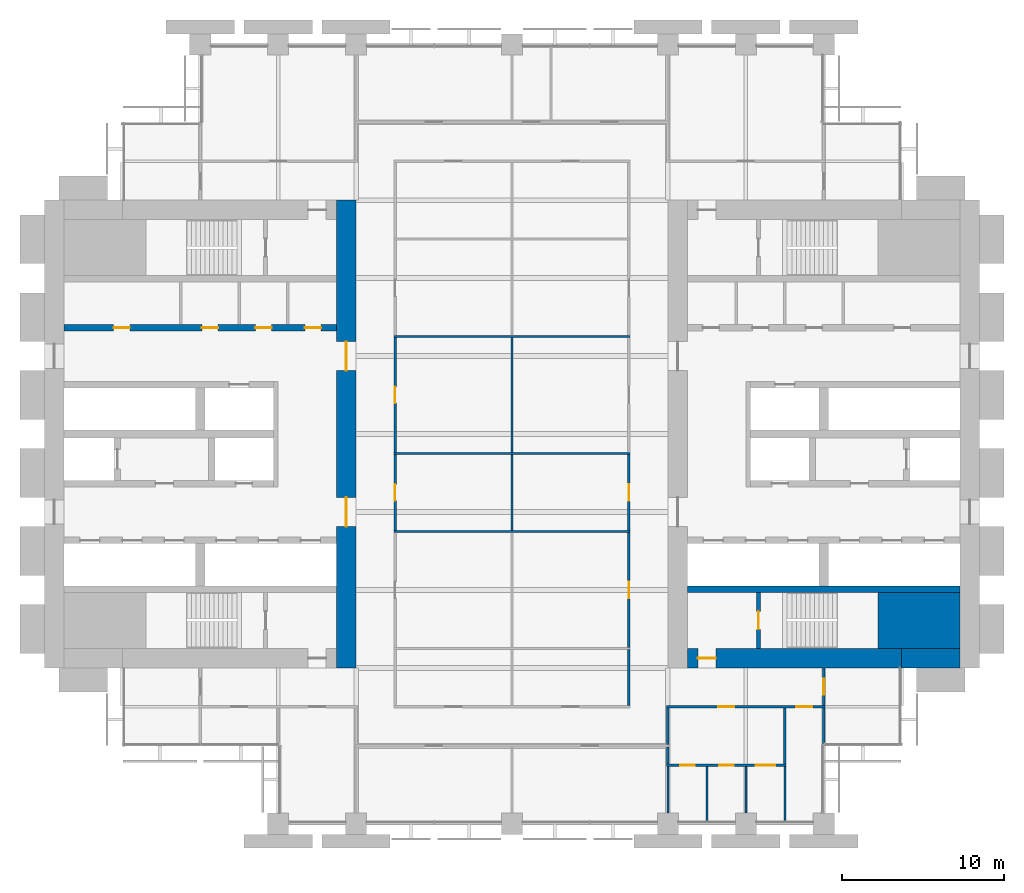
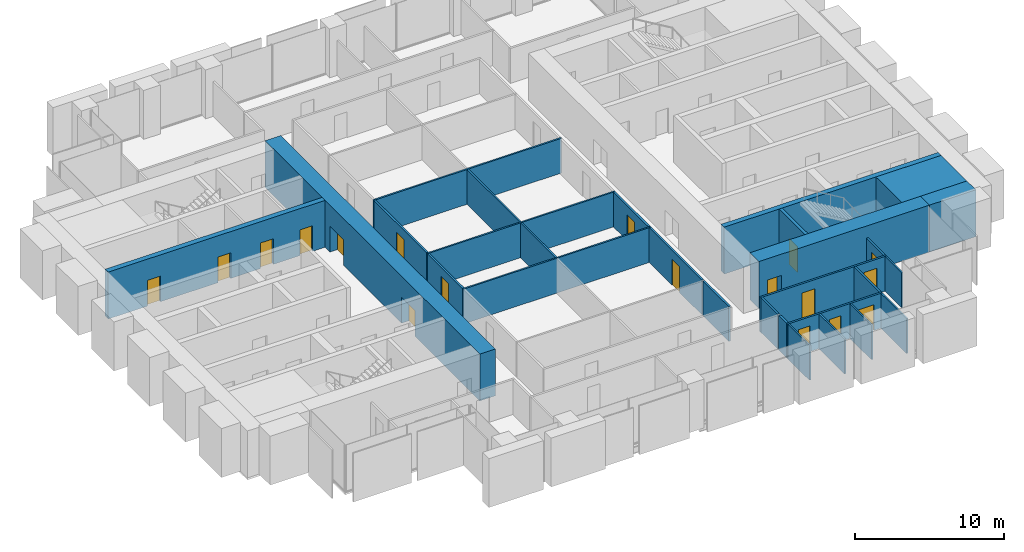
# One storey, part 10 of 14: 28 walls, 18 doors, 18 openings.
"""IFC4 building model written with IfcOpenShell, lengths in metres."""

from ifc_helpers import new_model, si_unit, direction, frame, frame_2d, origin, place, context, subcontext, project, spatial, rectangle, extrude, material, layer, layer_set, type_object, element, fill, save


model = new_model("IFC4")

# Units and contexts
model_context = context("Model", 3, precision=1e-05, world=origin(), true_north=direction((0.0, 1.0)))
body_context = subcontext(model_context, "Body", "Model", "MODEL_VIEW")
ifc_project = project(units=[si_unit("LENGTHUNIT", "METRE"), si_unit("AREAUNIT", "SQUARE_METRE"), si_unit("VOLUMEUNIT", "CUBIC_METRE"), si_unit("PLANEANGLEUNIT", "RADIAN"), si_unit("MASSUNIT", "GRAM", prefix="KILO")], contexts=[model_context])

# Site, building, storey
site_placement = place(None, origin())
site = spatial("IfcSite", under=ifc_project, at=site_placement, CompositionType="ELEMENT")
building_placement = place(site_placement, origin())
building = spatial("IfcBuilding", under=site, at=building_placement, Name="Baori Bourse Tower", CompositionType="ELEMENT")
storey_placement = place(building_placement, frame((0.0, 0.0, 55.0)))
storey = spatial("IfcBuildingStorey", under=building, at=storey_placement, Name="L11", CompositionType="ELEMENT", Elevation=55.0)

# Wall
ifc_material_1 = material(Name="Concrete f'c 70 MPa", Category="concrete")
wall_type_1 = type_object("IfcWallType", Name="Core corner block f'c 70", PredefinedType="SHEAR", material=ifc_material_1)
wall_1_placement = place(storey_placement, frame((51.35009765625, 12.52490234375, 0.0), z_axis=(0.0, 0.0, 1.0), x_axis=(1.0, 0.0, 0.0)))
element("IfcWall", 1, at=wall_1_placement, inside=storey, type_object=wall_type_1, Name="Core wall E05", PredefinedType="SHEAR", context=body_context, shape_type="SweptSolid", body=[
    extrude(rectangle(XDim=5.0498046875, YDim=3.449951171875, at=frame_2d((2.52490234375, 0.0))), origin(), (0.0, 0.0, 1.0), 3.840087890625),
])

# Wall, openings, doors
ifc_material_2 = material(Name="Concrete f'c 70 MPa", Category="concrete")
ifc_layer_1 = layer(ifc_material_2, 1.199951171875)
ifc_layer_set_1 = layer_set([ifc_layer_1], Name="Core wall 1200 f'c 70")
wall_type_2 = type_object("IfcWallType", Name="Core wall 1200 f'c 70", PredefinedType="SHEAR", material=ifc_layer_set_1)
wall_2_placement = place(storey_placement, frame((18.60009765625, 38.39990234375, 0.0), z_axis=(0.0, 0.0, 1.0), x_axis=(0.0, -1.0, 0.0)))
wall_2 = element("IfcWall", 2, at=wall_2_placement, inside=storey, type_object=wall_type_2, Name="Core wall W04", PredefinedType="SHEAR", context=body_context, shape_type="SweptSolid", body=[
    extrude(rectangle(XDim=28.7998046875, YDim=1.199951171875, at=frame_2d((14.39990234375, 0.0))), origin(), (0.0, 0.0, 1.0), 3.840087890625),
])
opening_1_placement = place(wall_2_placement, frame((18.300048828125, 0.0, 0.0)))
opening_1 = element("IfcOpeningElement", 3, at=opening_1_placement, cuts=wall_2, Name="Opening L11-D107", PredefinedType="OPENING", context=body_context, shape_type="SweptSolid", body=[
    extrude(rectangle(XDim=1.800048828125, YDim=2.10009765625, at=frame_2d((0.89990234375, 1.050048828125))), frame((0.0, 0.60986328125, 0.0), z_axis=(0.0, -1.0, 0.0), x_axis=(1.0, 0.0, 0.0)), (0.0, 0.0, 1.0), 1.219970703125),
])
opening_2_placement = place(wall_2_placement, frame((8.699951171875, 0.0, 0.0)))
opening_2 = element("IfcOpeningElement", 4, at=opening_2_placement, cuts=wall_2, Name="Opening L11-D108", PredefinedType="OPENING", context=body_context, shape_type="SweptSolid", body=[
    extrude(rectangle(XDim=1.800048828125, YDim=2.10009765625, at=frame_2d((0.89990234375, 1.050048828125))), frame((0.0, 0.60986328125, 0.0), z_axis=(0.0, -1.0, 0.0), x_axis=(1.0, 0.0, 0.0)), (0.0, 0.0, 1.0), 1.219970703125),
])
ifc_material_3 = material(Name="Painted steel door", Category="steel")
door_type_1 = type_object("IfcDoorType", Name="Core lobby door 1800", OperationType="DOUBLE_DOOR_SINGLE_SWING", PredefinedType="DOOR", material=ifc_material_3)
door_1_placement = place(opening_1_placement, origin())
door_1 = element("IfcDoor", 5, at=door_1_placement, inside=storey, type_object=door_type_1, Name="Lobby door W L11", OperationType="DOUBLE_DOOR_SINGLE_SWING", OverallHeight=2.10009765625, OverallWidth=1.800048828125, PredefinedType="DOOR", context=body_context, shape_type="SweptSolid", body=[
    extrude(rectangle(XDim=1.800048828125, YDim=2.10009765625, at=frame_2d((0.89990234375, 1.050048828125))), frame((0.0, 0.02490234375, 0.0), z_axis=(0.0, -1.0, 0.0), x_axis=(1.0, 0.0, 0.0)), (0.0, 0.0, 1.0), 0.050048828125),
])
fill(opening_1, door_1)
door_2_placement = place(opening_2_placement, origin())
door_2 = element("IfcDoor", 6, at=door_2_placement, inside=storey, type_object=door_type_1, Name="Lobby door W L11", OperationType="DOUBLE_DOOR_SINGLE_SWING", OverallHeight=2.10009765625, OverallWidth=1.800048828125, PredefinedType="DOOR", context=body_context, shape_type="SweptSolid", body=[
    extrude(rectangle(XDim=1.800048828125, YDim=2.10009765625, at=frame_2d((0.89990234375, 1.050048828125))), frame((0.0, 0.02490234375, 0.0), z_axis=(0.0, -1.0, 0.0), x_axis=(1.0, 0.0, 0.0)), (0.0, 0.0, 1.0), 0.050048828125),
])
fill(opening_2, door_2)

# Wall
wall_3_placement = place(storey_placement, frame((56.39990234375, 10.199951171875, 0.0), z_axis=(0.0, 0.0, 1.0), x_axis=(-1.0, 0.0, 0.0)))
element("IfcWall", 7, at=wall_3_placement, inside=storey, type_object=wall_type_2, Name="Core wall E02", PredefinedType="SHEAR", context=body_context, shape_type="SweptSolid", body=[
    extrude(rectangle(XDim=3.599853515625, YDim=1.199951171875, at=frame_2d((1.7998046875, 0.0))), origin(), (0.0, 0.0, 1.0), 3.840087890625),
])

# Wall, opening, door
wall_4_placement = place(storey_placement, frame((52.800048828125, 10.199951171875, 0.0), z_axis=(0.0, 0.0, 1.0), x_axis=(-1.0, 0.0, 0.0)))
wall_4 = element("IfcWall", 8, at=wall_4_placement, inside=storey, type_object=wall_type_2, Name="Core wall E03", PredefinedType="SHEAR", context=body_context, shape_type="SweptSolid", body=[
    extrude(rectangle(XDim=13.199951171875, YDim=1.199951171875, at=frame_2d((6.60009765625, 0.0))), origin(), (0.0, 0.0, 1.0), 3.840087890625),
])
opening_3_placement = place(wall_4_placement, frame((11.449951171875, 0.0, 0.0)))
opening_3 = element("IfcOpeningElement", 9, at=opening_3_placement, cuts=wall_4, Name="Opening L11-D202", PredefinedType="OPENING", context=body_context, shape_type="SweptSolid", body=[
    extrude(rectangle(XDim=1.10009765625, YDim=2.10009765625, at=frame_2d((0.550048828125, 1.050048828125))), frame((0.0, 0.60986328125, 0.0), z_axis=(0.0, -1.0, 0.0), x_axis=(1.0, 0.0, 0.0)), (0.0, 0.0, 1.0), 1.219970703125),
])
ifc_material_4 = material(Name="Painted steel door", Category="steel")
door_type_2 = type_object("IfcDoorType", Name="Stair door 1100", OperationType="SINGLE_SWING_LEFT", PredefinedType="DOOR", material=ifc_material_4)
door_3_placement = place(opening_3_placement, origin())
door_3 = element("IfcDoor", 10, at=door_3_placement, inside=storey, type_object=door_type_2, Name="Stair vestibule door A E L11", OperationType="SINGLE_SWING_LEFT", OverallHeight=2.10009765625, OverallWidth=1.10009765625, PredefinedType="DOOR", context=body_context, shape_type="SweptSolid", body=[
    extrude(rectangle(XDim=1.10009765625, YDim=2.10009765625, at=frame_2d((0.550048828125, 1.050048828125))), frame((0.0, 0.02490234375, 0.0), z_axis=(0.0, -1.0, 0.0), x_axis=(1.0, 0.0, 0.0)), (0.0, 0.0, 1.0), 0.050048828125),
])
fill(opening_3, door_3)

# Wall, openings, doors
ifc_material_5 = material(Name="Gypsum board partition")
ifc_layer_2 = layer(ifc_material_5, 0.14990234375)
ifc_layer_set_2 = layer_set([ifc_layer_2], Name="Corridor partition 150")
wall_type_3 = type_object("IfcWallType", Name="Corridor partition 150", PredefinedType="PARTITIONING", material=ifc_layer_set_2)
wall_5_placement = place(storey_placement, frame((38.324951171875, 3.60009765625, 0.0), z_axis=(0.0, 0.0, 1.0), x_axis=(1.0, 0.0, 0.0)))
wall_5 = element("IfcWall", 11, at=wall_5_placement, inside=storey, type_object=wall_type_3, Name="Partition", PredefinedType="PARTITIONING", context=body_context, shape_type="SweptSolid", body=[
    extrude(rectangle(XDim=7.35009765625, YDim=0.14990234375, at=frame_2d((3.675048828125, 0.0))), origin(), (0.0, 0.0, 1.0), 2.849365234375),
])
opening_4_placement = place(wall_5_placement, frame((0.824951171875, 0.0, 0.0)))
opening_4 = element("IfcOpeningElement", 12, at=opening_4_placement, cuts=wall_5, Name="Opening L11-D01", PredefinedType="OPENING", context=body_context, shape_type="SweptSolid", body=[
    extrude(rectangle(XDim=0.89990234375, YDim=2.10009765625, at=frame_2d((0.449951171875, 1.050048828125))), frame((0.0, 0.0849609375, 0.0), z_axis=(0.0, -1.0, 0.0), x_axis=(1.0, 0.0, 0.0)), (0.0, 0.0, 1.0), 0.169921875),
])
opening_5_placement = place(wall_5_placement, frame((3.22509765625, 0.0, 0.0)))
opening_5 = element("IfcOpeningElement", 13, at=opening_5_placement, cuts=wall_5, Name="Opening L11-D02", PredefinedType="OPENING", context=body_context, shape_type="SweptSolid", body=[
    extrude(rectangle(XDim=0.89990234375, YDim=2.10009765625, at=frame_2d((0.449951171875, 1.050048828125))), frame((0.0, 0.0849609375, 0.0), z_axis=(0.0, -1.0, 0.0), x_axis=(1.0, 0.0, 0.0)), (0.0, 0.0, 1.0), 0.169921875),
])
opening_6_placement = place(wall_5_placement, frame((5.47509765625, 0.0, 0.0)))
opening_6 = element("IfcOpeningElement", 14, at=opening_6_placement, cuts=wall_5, Name="Opening L11-D03", PredefinedType="OPENING", context=body_context, shape_type="SweptSolid", body=[
    extrude(rectangle(XDim=1.199951171875, YDim=2.10009765625, at=frame_2d((0.60009765625, 1.050048828125))), frame((0.0, 0.0849609375, 0.0), z_axis=(0.0, -1.0, 0.0), x_axis=(1.0, 0.0, 0.0)), (0.0, 0.0, 1.0), 0.169921875),
])
ifc_material_6 = material(Name="Timber door leaf", Category="wood")
door_type_3 = type_object("IfcDoorType", Name="Door 1200 x 2100", OperationType="SINGLE_SWING_LEFT", PredefinedType="DOOR", material=ifc_material_6)
door_4_placement = place(opening_6_placement, origin())
door_4 = element("IfcDoor", 15, at=door_4_placement, inside=storey, type_object=door_type_3, Name="Door", OperationType="SINGLE_SWING_RIGHT", OverallHeight=2.10009765625, OverallWidth=1.199951171875, PredefinedType="DOOR", context=body_context, shape_type="SweptSolid", body=[
    extrude(rectangle(XDim=1.199951171875, YDim=2.10009765625, at=frame_2d((0.60009765625, 1.050048828125))), frame((0.0, 0.02490234375, 0.0), z_axis=(0.0, -1.0, 0.0), x_axis=(1.0, 0.0, 0.0)), (0.0, 0.0, 1.0), 0.050048828125),
])
fill(opening_6, door_4)
ifc_material_7 = material(Name="Timber door leaf", Category="wood")
door_type_4 = type_object("IfcDoorType", Name="Door 900 x 2100", OperationType="SINGLE_SWING_LEFT", PredefinedType="DOOR", material=ifc_material_7)
door_5_placement = place(opening_4_placement, origin())
door_5 = element("IfcDoor", 16, at=door_5_placement, inside=storey, type_object=door_type_4, Name="Door", OperationType="SINGLE_SWING_LEFT", OverallHeight=2.10009765625, OverallWidth=0.89990234375, PredefinedType="DOOR", context=body_context, shape_type="SweptSolid", body=[
    extrude(rectangle(XDim=0.89990234375, YDim=2.10009765625, at=frame_2d((0.449951171875, 1.050048828125))), frame((0.0, 0.02490234375, 0.0), z_axis=(0.0, -1.0, 0.0), x_axis=(1.0, 0.0, 0.0)), (0.0, 0.0, 1.0), 0.050048828125),
])
fill(opening_4, door_5)
door_6_placement = place(opening_5_placement, origin())
door_6 = element("IfcDoor", 17, at=door_6_placement, inside=storey, type_object=door_type_4, Name="Door", OperationType="SINGLE_SWING_LEFT", OverallHeight=2.10009765625, OverallWidth=0.89990234375, PredefinedType="DOOR", context=body_context, shape_type="SweptSolid", body=[
    extrude(rectangle(XDim=0.89990234375, YDim=2.10009765625, at=frame_2d((0.449951171875, 1.050048828125))), frame((0.0, 0.02490234375, 0.0), z_axis=(0.0, -1.0, 0.0), x_axis=(1.0, 0.0, 0.0)), (0.0, 0.0, 1.0), 0.050048828125),
])
fill(opening_5, door_6)

wall_6_placement = place(storey_placement, frame((38.324951171875, 7.199951171875, 0.0), z_axis=(0.0, 0.0, 1.0), x_axis=(1.0, 0.0, 0.0)))
wall_6 = element("IfcWall", 18, at=wall_6_placement, inside=storey, type_object=wall_type_3, Name="Partition", PredefinedType="PARTITIONING", context=body_context, shape_type="SweptSolid", body=[
    extrude(rectangle(XDim=9.75, YDim=0.14990234375, at=frame_2d((4.875, 0.0))), origin(), (0.0, 0.0, 1.0), 2.849365234375),
])
opening_7_placement = place(wall_6_placement, frame((3.175048828125, 0.0, 0.0)))
opening_7 = element("IfcOpeningElement", 19, at=opening_7_placement, cuts=wall_6, Name="Opening L11-D10", PredefinedType="OPENING", context=body_context, shape_type="SweptSolid", body=[
    extrude(rectangle(XDim=1.0, YDim=2.10009765625, at=frame_2d((0.5, 1.050048828125))), frame((0.0, 0.0849609375, 0.0), z_axis=(0.0, -1.0, 0.0), x_axis=(1.0, 0.0, 0.0)), (0.0, 0.0, 1.0), 0.169921875),
])
opening_8_placement = place(wall_6_placement, frame((7.97509765625, 0.0, 0.0)))
opening_8 = element("IfcOpeningElement", 20, at=opening_8_placement, cuts=wall_6, Name="Opening L11-D11", PredefinedType="OPENING", context=body_context, shape_type="SweptSolid", body=[
    extrude(rectangle(XDim=1.0, YDim=2.10009765625, at=frame_2d((0.5, 1.050048828125))), frame((0.0, 0.0849609375, 0.0), z_axis=(0.0, -1.0, 0.0), x_axis=(1.0, 0.0, 0.0)), (0.0, 0.0, 1.0), 0.169921875),
])
ifc_material_8 = material(Name="Timber door leaf", Category="wood")
door_type_5 = type_object("IfcDoorType", Name="Door 1000 x 2100", OperationType="SINGLE_SWING_LEFT", PredefinedType="DOOR", material=ifc_material_8)
door_7_placement = place(opening_7_placement, origin())
door_7 = element("IfcDoor", 21, at=door_7_placement, inside=storey, type_object=door_type_5, Name="Door", OperationType="SINGLE_SWING_RIGHT", OverallHeight=2.10009765625, OverallWidth=1.0, PredefinedType="DOOR", context=body_context, shape_type="SweptSolid", body=[
    extrude(rectangle(XDim=1.0, YDim=2.10009765625, at=frame_2d((0.5, 1.050048828125))), frame((0.0, 0.02490234375, 0.0), z_axis=(0.0, -1.0, 0.0), x_axis=(1.0, 0.0, 0.0)), (0.0, 0.0, 1.0), 0.050048828125),
])
fill(opening_7, door_7)
door_8_placement = place(opening_8_placement, origin())
door_8 = element("IfcDoor", 22, at=door_8_placement, inside=storey, type_object=door_type_5, Name="Door", OperationType="SINGLE_SWING_RIGHT", OverallHeight=2.10009765625, OverallWidth=1.0, PredefinedType="DOOR", context=body_context, shape_type="SweptSolid", body=[
    extrude(rectangle(XDim=1.0, YDim=2.10009765625, at=frame_2d((0.5, 1.050048828125))), frame((0.0, 0.02490234375, 0.0), z_axis=(0.0, -1.0, 0.0), x_axis=(1.0, 0.0, 0.0)), (0.0, 0.0, 1.0), 0.050048828125),
])
fill(opening_8, door_8)

# Wall, opening, door
wall_7_placement = place(storey_placement, frame((21.60009765625, 18.0625, 0.0), z_axis=(0.0, 0.0, 1.0), x_axis=(0.0, 1.0, 0.0)))
wall_7 = element("IfcWall", 23, at=wall_7_placement, inside=storey, type_object=wall_type_3, Name="Partition", PredefinedType="PARTITIONING", context=body_context, shape_type="SweptSolid", body=[
    extrude(rectangle(XDim=4.675048828125, YDim=0.14990234375, at=frame_2d((2.33740234375, 0.0))), origin(), (0.0, 0.0, 1.0), 2.849365234375),
])
opening_9_placement = place(wall_7_placement, frame((1.83740234375, 0.0, 0.0)))
opening_9 = element("IfcOpeningElement", 24, at=opening_9_placement, cuts=wall_7, Name="Opening L11-D22", PredefinedType="OPENING", context=body_context, shape_type="SweptSolid", body=[
    extrude(rectangle(XDim=1.0, YDim=2.10009765625, at=frame_2d((0.5, 1.050048828125))), frame((0.0, 0.0849609375, 0.0), z_axis=(0.0, -1.0, 0.0), x_axis=(1.0, 0.0, 0.0)), (0.0, 0.0, 1.0), 0.169921875),
])
door_9_placement = place(opening_9_placement, origin())
door_9 = element("IfcDoor", 25, at=door_9_placement, inside=storey, type_object=door_type_5, Name="Door", OperationType="SINGLE_SWING_LEFT", OverallHeight=2.10009765625, OverallWidth=1.0, PredefinedType="DOOR", context=body_context, shape_type="SweptSolid", body=[
    extrude(rectangle(XDim=1.0, YDim=2.10009765625, at=frame_2d((0.5, 1.050048828125))), frame((0.0, 0.02490234375, 0.0), z_axis=(0.0, -1.0, 0.0), x_axis=(1.0, 0.0, 0.0)), (0.0, 0.0, 1.0), 0.050048828125),
])
fill(opening_9, door_9)

wall_8_placement = place(storey_placement, frame((21.60009765625, 22.862548828125, 0.0), z_axis=(0.0, 0.0, 1.0), x_axis=(0.0, 1.0, 0.0)))
wall_8 = element("IfcWall", 26, at=wall_8_placement, inside=storey, type_object=wall_type_3, Name="Partition", PredefinedType="PARTITIONING", context=body_context, shape_type="SweptSolid", body=[
    extrude(rectangle(XDim=7.074951171875, YDim=0.14990234375, at=frame_2d((3.53759765625, 0.0))), origin(), (0.0, 0.0, 1.0), 2.849365234375),
])
opening_10_placement = place(wall_8_placement, frame((3.03759765625, 0.0, 0.0)))
opening_10 = element("IfcOpeningElement", 27, at=opening_10_placement, cuts=wall_8, Name="Opening L11-D23", PredefinedType="OPENING", context=body_context, shape_type="SweptSolid", body=[
    extrude(rectangle(XDim=1.0, YDim=2.10009765625, at=frame_2d((0.5, 1.050048828125))), frame((0.0, 0.0849609375, 0.0), z_axis=(0.0, -1.0, 0.0), x_axis=(1.0, 0.0, 0.0)), (0.0, 0.0, 1.0), 0.169921875),
])
door_10_placement = place(opening_10_placement, origin())
door_10 = element("IfcDoor", 28, at=door_10_placement, inside=storey, type_object=door_type_5, Name="Door", OperationType="SINGLE_SWING_LEFT", OverallHeight=2.10009765625, OverallWidth=1.0, PredefinedType="DOOR", context=body_context, shape_type="SweptSolid", body=[
    extrude(rectangle(XDim=1.0, YDim=2.10009765625, at=frame_2d((0.5, 1.050048828125))), frame((0.0, 0.02490234375, 0.0), z_axis=(0.0, -1.0, 0.0), x_axis=(1.0, 0.0, 0.0)), (0.0, 0.0, 1.0), 0.050048828125),
])
fill(opening_10, door_10)

# Wall
wall_9_placement = place(storey_placement, frame((36.0, 7.27490234375, 0.0), z_axis=(0.0, 0.0, 1.0), x_axis=(0.0, 1.0, 0.0)))
element("IfcWall", 29, at=wall_9_placement, inside=storey, type_object=wall_type_3, Name="Partition", PredefinedType="PARTITIONING", context=body_context, shape_type="SweptSolid", body=[
    extrude(rectangle(XDim=3.462646484375, YDim=0.14990234375, at=frame_2d((1.7314453125, 0.0))), origin(), (0.0, 0.0, 1.0), 2.849365234375),
])

# Wall, opening, door
wall_10_placement = place(storey_placement, frame((36.0, 10.862548828125, 0.0), z_axis=(0.0, 0.0, 1.0), x_axis=(0.0, 1.0, 0.0)))
wall_10 = element("IfcWall", 30, at=wall_10_placement, inside=storey, type_object=wall_type_3, Name="Partition", PredefinedType="PARTITIONING", context=body_context, shape_type="SweptSolid", body=[
    extrude(rectangle(XDim=7.074951171875, YDim=0.14990234375, at=frame_2d((3.53759765625, 0.0))), origin(), (0.0, 0.0, 1.0), 2.849365234375),
])
opening_11_placement = place(wall_10_placement, frame((3.03759765625, 0.0, 0.0)))
opening_11 = element("IfcOpeningElement", 31, at=opening_11_placement, cuts=wall_10, Name="Opening L11-D25", PredefinedType="OPENING", context=body_context, shape_type="SweptSolid", body=[
    extrude(rectangle(XDim=1.0, YDim=2.10009765625, at=frame_2d((0.5, 1.050048828125))), frame((0.0, 0.0849609375, 0.0), z_axis=(0.0, -1.0, 0.0), x_axis=(1.0, 0.0, 0.0)), (0.0, 0.0, 1.0), 0.169921875),
])
door_11_placement = place(opening_11_placement, origin())
door_11 = element("IfcDoor", 32, at=door_11_placement, inside=storey, type_object=door_type_5, Name="Door", OperationType="SINGLE_SWING_RIGHT", OverallHeight=2.10009765625, OverallWidth=1.0, PredefinedType="DOOR", context=body_context, shape_type="SweptSolid", body=[
    extrude(rectangle(XDim=1.0, YDim=2.10009765625, at=frame_2d((0.5, 1.050048828125))), frame((0.0, 0.02490234375, 0.0), z_axis=(0.0, -1.0, 0.0), x_axis=(1.0, 0.0, 0.0)), (0.0, 0.0, 1.0), 0.050048828125),
])
fill(opening_11, door_11)

wall_11_placement = place(storey_placement, frame((36.0, 18.0625, 0.0), z_axis=(0.0, 0.0, 1.0), x_axis=(0.0, 1.0, 0.0)))
wall_11 = element("IfcWall", 33, at=wall_11_placement, inside=storey, type_object=wall_type_3, Name="Partition", PredefinedType="PARTITIONING", context=body_context, shape_type="SweptSolid", body=[
    extrude(rectangle(XDim=4.675048828125, YDim=0.14990234375, at=frame_2d((2.33740234375, 0.0))), origin(), (0.0, 0.0, 1.0), 2.849365234375),
])
opening_12_placement = place(wall_11_placement, frame((1.83740234375, 0.0, 0.0)))
opening_12 = element("IfcOpeningElement", 34, at=opening_12_placement, cuts=wall_11, Name="Opening L11-D26", PredefinedType="OPENING", context=body_context, shape_type="SweptSolid", body=[
    extrude(rectangle(XDim=1.0, YDim=2.10009765625, at=frame_2d((0.5, 1.050048828125))), frame((0.0, 0.0849609375, 0.0), z_axis=(0.0, -1.0, 0.0), x_axis=(1.0, 0.0, 0.0)), (0.0, 0.0, 1.0), 0.169921875),
])
door_12_placement = place(opening_12_placement, origin())
door_12 = element("IfcDoor", 35, at=door_12_placement, inside=storey, type_object=door_type_5, Name="Door", OperationType="SINGLE_SWING_RIGHT", OverallHeight=2.10009765625, OverallWidth=1.0, PredefinedType="DOOR", context=body_context, shape_type="SweptSolid", body=[
    extrude(rectangle(XDim=1.0, YDim=2.10009765625, at=frame_2d((0.5, 1.050048828125))), frame((0.0, 0.02490234375, 0.0), z_axis=(0.0, -1.0, 0.0), x_axis=(1.0, 0.0, 0.0)), (0.0, 0.0, 1.0), 0.050048828125),
])
fill(opening_12, door_12)

# Walls
wall_12_placement = place(storey_placement, frame((38.39990234375, 3.675048828125, 0.0), z_axis=(0.0, 0.0, 1.0), x_axis=(0.0, 1.0, 0.0)))
element("IfcWall", 36, at=wall_12_placement, inside=storey, type_object=wall_type_3, Name="Partition", PredefinedType="PARTITIONING", context=body_context, shape_type="SweptSolid", body=[
    extrude(rectangle(XDim=1.050048828125, YDim=0.14990234375, at=frame_2d((0.52490234375, 0.0))), origin(), (0.0, 0.0, 1.0), 2.849365234375),
])
wall_13_placement = place(storey_placement, frame((38.39990234375, 4.875, 0.0), z_axis=(0.0, 0.0, 1.0), x_axis=(0.0, 1.0, 0.0)))
element("IfcWall", 37, at=wall_13_placement, inside=storey, type_object=wall_type_3, Name="Partition", PredefinedType="PARTITIONING", context=body_context, shape_type="SweptSolid", body=[
    extrude(rectangle(XDim=2.25, YDim=0.14990234375, at=frame_2d((1.125, 0.0))), origin(), (0.0, 0.0, 1.0), 2.849365234375),
])
wall_14_placement = place(storey_placement, frame((45.60009765625, 3.675048828125, 0.0), z_axis=(0.0, 0.0, 1.0), x_axis=(0.0, 1.0, 0.0)))
element("IfcWall", 38, at=wall_14_placement, inside=storey, type_object=wall_type_3, Name="Partition", PredefinedType="PARTITIONING", context=body_context, shape_type="SweptSolid", body=[
    extrude(rectangle(XDim=3.449951171875, YDim=0.14990234375, at=frame_2d((1.72509765625, 0.0))), origin(), (0.0, 0.0, 1.0), 2.849365234375),
])

# Wall, opening, door
wall_15_placement = place(storey_placement, frame((48.0, 7.27490234375, 0.0), z_axis=(0.0, 0.0, 1.0), x_axis=(0.0, 1.0, 0.0)))
wall_15 = element("IfcWall", 39, at=wall_15_placement, inside=storey, type_object=wall_type_3, Name="Partition", PredefinedType="PARTITIONING", context=body_context, shape_type="SweptSolid", body=[
    extrude(rectangle(XDim=2.3251953125, YDim=0.14990234375, at=frame_2d((1.16259765625, 0.0))), origin(), (0.0, 0.0, 1.0), 2.849365234375),
])
opening_13_placement = place(wall_15_placement, frame((0.66259765625, 0.0, 0.0)))
opening_13 = element("IfcOpeningElement", 40, at=opening_13_placement, cuts=wall_15, Name="Opening L11-D29", PredefinedType="OPENING", context=body_context, shape_type="SweptSolid", body=[
    extrude(rectangle(XDim=1.0, YDim=2.10009765625, at=frame_2d((0.5, 1.050048828125))), frame((0.0, 0.0849609375, 0.0), z_axis=(0.0, -1.0, 0.0), x_axis=(1.0, 0.0, 0.0)), (0.0, 0.0, 1.0), 0.169921875),
])
door_13_placement = place(opening_13_placement, origin())
door_13 = element("IfcDoor", 41, at=door_13_placement, inside=storey, type_object=door_type_5, Name="Door", OperationType="SINGLE_SWING_LEFT", OverallHeight=2.10009765625, OverallWidth=1.0, PredefinedType="DOOR", context=body_context, shape_type="SweptSolid", body=[
    extrude(rectangle(XDim=1.0, YDim=2.10009765625, at=frame_2d((0.5, 1.050048828125))), frame((0.0, 0.02490234375, 0.0), z_axis=(0.0, -1.0, 0.0), x_axis=(1.0, 0.0, 0.0)), (0.0, 0.0, 1.0), 0.050048828125),
])
fill(opening_13, door_13)

# Walls
ifc_material_9 = material(Name="Gypsum board partition")
ifc_layer_3 = layer(ifc_material_9, 0.125)
ifc_layer_set_3 = layer_set([ifc_layer_3], Name="Partition 125")
wall_type_4 = type_object("IfcWallType", Name="Partition 125", PredefinedType="PARTITIONING", material=ifc_layer_set_3)
for number, where, z_axis, x_axis, name in (
    (42, (21.52490234375, 18.0, 0.0), (0.0, 0.0, 1.0), (1.0, 0.0, 0.0), "Partition"),
    (43, (21.52490234375, 22.800048828125, 0.0), (0.0, 0.0, 1.0), (1.0, 0.0, 0.0), "Partition"),
    (44, (21.52490234375, 30.0, 0.0), (0.0, 0.0, 1.0), (1.0, 0.0, 0.0), "Partition"),
):
    element("IfcWall", number, at=place(storey_placement, frame(where, z_axis=z_axis, x_axis=x_axis)), inside=storey, type_object=wall_type_4, Name=name, PredefinedType="PARTITIONING", context=body_context, shape_type="SweptSolid", body=[
        extrude(rectangle(XDim=14.550048828125, YDim=0.125, at=frame_2d((7.27490234375, 0.0))), origin(), (0.0, 0.0, 1.0), 2.849365234375),
    ])
wall_16_placement = place(storey_placement, frame((28.800048828125, 18.0625, 0.0), z_axis=(0.0, 0.0, 1.0), x_axis=(0.0, 1.0, 0.0)))
element("IfcWall", 45, at=wall_16_placement, inside=storey, type_object=wall_type_4, Name="Partition", PredefinedType="PARTITIONING", context=body_context, shape_type="SweptSolid", body=[
    extrude(rectangle(XDim=4.675048828125, YDim=0.125, at=frame_2d((2.33740234375, 0.0))), origin(), (0.0, 0.0, 1.0), 2.849365234375),
])
wall_17_placement = place(storey_placement, frame((28.800048828125, 22.862548828125, 0.0), z_axis=(0.0, 0.0, 1.0), x_axis=(0.0, 1.0, 0.0)))
element("IfcWall", 46, at=wall_17_placement, inside=storey, type_object=wall_type_4, Name="Partition", PredefinedType="PARTITIONING", context=body_context, shape_type="SweptSolid", body=[
    extrude(rectangle(XDim=7.074951171875, YDim=0.125, at=frame_2d((3.53759765625, 0.0))), origin(), (0.0, 0.0, 1.0), 2.849365234375),
])
wall_18_placement = place(storey_placement, frame((38.39990234375, 0.64990234375, 0.0), z_axis=(0.0, 0.0, 1.0), x_axis=(0.0, 1.0, 0.0)))
element("IfcWall", 47, at=wall_18_placement, inside=storey, type_object=wall_type_4, Name="Partition", PredefinedType="PARTITIONING", context=body_context, shape_type="SweptSolid", body=[
    extrude(rectangle(XDim=2.875, YDim=0.125, at=frame_2d((1.4375, 0.0))), origin(), (0.0, 0.0, 1.0), 2.849365234375),
])
wall_19_placement = place(storey_placement, frame((40.800048828125, 0.10009765625, 0.0), z_axis=(0.0, 0.0, 1.0), x_axis=(0.0, 1.0, 0.0)))
element("IfcWall", 48, at=wall_19_placement, inside=storey, type_object=wall_type_4, Name="Partition", PredefinedType="PARTITIONING", context=body_context, shape_type="SweptSolid", body=[
    extrude(rectangle(XDim=3.4248046875, YDim=0.125, at=frame_2d((1.71240234375, 0.0))), origin(), (0.0, 0.0, 1.0), 2.849365234375),
])
wall_20_placement = place(storey_placement, frame((43.199951171875, 0.64990234375, 0.0), z_axis=(0.0, 0.0, 1.0), x_axis=(0.0, 1.0, 0.0)))
element("IfcWall", 49, at=wall_20_placement, inside=storey, type_object=wall_type_4, Name="Partition", PredefinedType="PARTITIONING", context=body_context, shape_type="SweptSolid", body=[
    extrude(rectangle(XDim=2.875, YDim=0.125, at=frame_2d((1.4375, 0.0))), origin(), (0.0, 0.0, 1.0), 2.849365234375),
])
wall_21_placement = place(storey_placement, frame((45.60009765625, 0.10009765625, 0.0), z_axis=(0.0, 0.0, 1.0), x_axis=(0.0, 1.0, 0.0)))
element("IfcWall", 50, at=wall_21_placement, inside=storey, type_object=wall_type_4, Name="Partition", PredefinedType="PARTITIONING", context=body_context, shape_type="SweptSolid", body=[
    extrude(rectangle(XDim=3.4248046875, YDim=0.125, at=frame_2d((1.71240234375, 0.0))), origin(), (0.0, 0.0, 1.0), 2.849365234375),
])
wall_22_placement = place(storey_placement, frame((48.0, 4.89990234375, 0.0), z_axis=(0.0, 0.0, 1.0), x_axis=(0.0, 1.0, 0.0)))
element("IfcWall", 51, at=wall_22_placement, inside=storey, type_object=wall_type_4, Name="Partition", PredefinedType="PARTITIONING", context=body_context, shape_type="SweptSolid", body=[
    extrude(rectangle(XDim=2.22509765625, YDim=0.125, at=frame_2d((1.112548828125, 0.0))), origin(), (0.0, 0.0, 1.0), 2.849365234375),
])

# Wall, opening, door
ifc_material_10 = material(Name="Concrete f'c 70 MPa", Category="concrete")
ifc_layer_4 = layer(ifc_material_10, 0.25)
ifc_layer_set_4 = layer_set([ifc_layer_4], Name="Shaft wall 250 f'c 70")
wall_type_5 = type_object("IfcWallType", Name="Shaft wall 250 f'c 70", PredefinedType="SHEAR", material=ifc_layer_set_4)
wall_23_placement = place(storey_placement, frame((43.97509765625, 10.800048828125, 0.0), z_axis=(0.0, 0.0, 1.0), x_axis=(0.0, 1.0, 0.0)))
wall_23 = element("IfcWall", 52, at=wall_23_placement, inside=storey, type_object=wall_type_5, Name="Core wall E06", PredefinedType="SHEAR", context=body_context, shape_type="SweptSolid", body=[
    extrude(rectangle(XDim=3.449951171875, YDim=0.25, at=frame_2d((1.72509765625, 0.0))), origin(), (0.0, 0.0, 1.0), 3.840087890625),
])
opening_14_placement = place(wall_23_placement, frame((1.175048828125, 0.0, 0.0)))
opening_14 = element("IfcOpeningElement", 53, at=opening_14_placement, cuts=wall_23, Name="Opening L11-D201", PredefinedType="OPENING", context=body_context, shape_type="SweptSolid", body=[
    extrude(rectangle(XDim=1.10009765625, YDim=2.10009765625, at=frame_2d((0.550048828125, 1.050048828125))), frame((0.0, 0.135009765625, 0.0), z_axis=(0.0, -1.0, 0.0), x_axis=(1.0, 0.0, 0.0)), (0.0, 0.0, 1.0), 0.27001953125),
])
door_14_placement = place(opening_14_placement, origin())
door_14 = element("IfcDoor", 54, at=door_14_placement, inside=storey, type_object=door_type_2, Name="Stair door A E L11", OperationType="SINGLE_SWING_LEFT", OverallHeight=2.10009765625, OverallWidth=1.10009765625, PredefinedType="DOOR", context=body_context, shape_type="SweptSolid", body=[
    extrude(rectangle(XDim=1.10009765625, YDim=2.10009765625, at=frame_2d((0.550048828125, 1.050048828125))), frame((0.0, 0.02490234375, 0.0), z_axis=(0.0, -1.0, 0.0), x_axis=(1.0, 0.0, 0.0)), (0.0, 0.0, 1.0), 0.050048828125),
])
fill(opening_14, door_14)

# Wall, openings, doors
ifc_material_11 = material(Name="Concrete f'c 70 MPa", Category="concrete")
ifc_layer_5 = layer(ifc_material_11, 0.39990234375)
ifc_layer_set_5 = layer_set([ifc_layer_5], Name="Shaft wall 400 f'c 70")
wall_type_6 = type_object("IfcWallType", Name="Shaft wall 400 f'c 70", PredefinedType="SHEAR", material=ifc_layer_set_5)
wall_24_placement = place(storey_placement, frame((1.199951171875, 30.550048828125, 0.0), z_axis=(0.0, 0.0, 1.0), x_axis=(1.0, 0.0, 0.0)))
wall_24 = element("IfcWall", 55, at=wall_24_placement, inside=storey, type_object=wall_type_6, Name="Core wall W17", PredefinedType="SHEAR", context=body_context, shape_type="SweptSolid", body=[
    extrude(rectangle(XDim=16.800048828125, YDim=0.39990234375, at=frame_2d((8.39990234375, 0.0))), origin(), (0.0, 0.0, 1.0), 3.840087890625),
])
opening_15_placement = place(wall_24_placement, frame((3.0625, 0.0, 0.0)))
opening_15 = element("IfcOpeningElement", 56, at=opening_15_placement, cuts=wall_24, Name="Opening L11-D109", PredefinedType="OPENING", context=body_context, shape_type="SweptSolid", body=[
    extrude(rectangle(XDim=1.0, YDim=2.10009765625, at=frame_2d((0.5, 1.050048828125))), frame((0.0, 0.2099609375, 0.0), z_axis=(0.0, -1.0, 0.0), x_axis=(1.0, 0.0, 0.0)), (0.0, 0.0, 1.0), 0.419921875),
])
opening_16_placement = place(wall_24_placement, frame((8.5, 0.0, 0.0)))
opening_16 = element("IfcOpeningElement", 57, at=opening_16_placement, cuts=wall_24, Name="Opening L11-D110", PredefinedType="OPENING", context=body_context, shape_type="SweptSolid", body=[
    extrude(rectangle(XDim=1.0, YDim=2.10009765625, at=frame_2d((0.5, 1.050048828125))), frame((0.0, 0.2099609375, 0.0), z_axis=(0.0, -1.0, 0.0), x_axis=(1.0, 0.0, 0.0)), (0.0, 0.0, 1.0), 0.419921875),
])
opening_17_placement = place(wall_24_placement, frame((11.800048828125, 0.0, 0.0)))
opening_17 = element("IfcOpeningElement", 58, at=opening_17_placement, cuts=wall_24, Name="Opening L11-D111", PredefinedType="OPENING", context=body_context, shape_type="SweptSolid", body=[
    extrude(rectangle(XDim=1.0, YDim=2.10009765625, at=frame_2d((0.5, 1.050048828125))), frame((0.0, 0.2099609375, 0.0), z_axis=(0.0, -1.0, 0.0), x_axis=(1.0, 0.0, 0.0)), (0.0, 0.0, 1.0), 0.419921875),
])
opening_18_placement = place(wall_24_placement, frame((14.83740234375, 0.0, 0.0)))
opening_18 = element("IfcOpeningElement", 59, at=opening_18_placement, cuts=wall_24, Name="Opening L11-D112", PredefinedType="OPENING", context=body_context, shape_type="SweptSolid", body=[
    extrude(rectangle(XDim=1.0, YDim=2.10009765625, at=frame_2d((0.5, 1.050048828125))), frame((0.0, 0.2099609375, 0.0), z_axis=(0.0, -1.0, 0.0), x_axis=(1.0, 0.0, 0.0)), (0.0, 0.0, 1.0), 0.419921875),
])
ifc_material_12 = material(Name="Painted steel door", Category="steel")
door_type_6 = type_object("IfcDoorType", Name="Core door 1000", OperationType="SINGLE_SWING_LEFT", PredefinedType="DOOR", material=ifc_material_12)
door_15_placement = place(opening_15_placement, origin())
door_15 = element("IfcDoor", 60, at=door_15_placement, inside=storey, type_object=door_type_6, Name="Men'S Wc door W L11", OperationType="SINGLE_SWING_LEFT", OverallHeight=2.10009765625, OverallWidth=1.0, PredefinedType="DOOR", context=body_context, shape_type="SweptSolid", body=[
    extrude(rectangle(XDim=1.0, YDim=2.10009765625, at=frame_2d((0.5, 1.050048828125))), frame((0.0, 0.02490234375, 0.0), z_axis=(0.0, -1.0, 0.0), x_axis=(1.0, 0.0, 0.0)), (0.0, 0.0, 1.0), 0.050048828125),
])
fill(opening_15, door_15)
door_16_placement = place(opening_16_placement, origin())
door_16 = element("IfcDoor", 61, at=door_16_placement, inside=storey, type_object=door_type_6, Name="Women'S Wc door W L11", OperationType="SINGLE_SWING_LEFT", OverallHeight=2.10009765625, OverallWidth=1.0, PredefinedType="DOOR", context=body_context, shape_type="SweptSolid", body=[
    extrude(rectangle(XDim=1.0, YDim=2.10009765625, at=frame_2d((0.5, 1.050048828125))), frame((0.0, 0.02490234375, 0.0), z_axis=(0.0, -1.0, 0.0), x_axis=(1.0, 0.0, 0.0)), (0.0, 0.0, 1.0), 0.050048828125),
])
fill(opening_16, door_16)
door_17_placement = place(opening_17_placement, origin())
door_17 = element("IfcDoor", 62, at=door_17_placement, inside=storey, type_object=door_type_6, Name="Accessible Wc door W L11", OperationType="SINGLE_SWING_LEFT", OverallHeight=2.10009765625, OverallWidth=1.0, PredefinedType="DOOR", context=body_context, shape_type="SweptSolid", body=[
    extrude(rectangle(XDim=1.0, YDim=2.10009765625, at=frame_2d((0.5, 1.050048828125))), frame((0.0, 0.02490234375, 0.0), z_axis=(0.0, -1.0, 0.0), x_axis=(1.0, 0.0, 0.0)), (0.0, 0.0, 1.0), 0.050048828125),
])
fill(opening_17, door_17)
ifc_material_13 = material(Name="Painted steel door", Category="steel")
door_type_7 = type_object("IfcDoorType", Name="Plant room door 1000", OperationType="SINGLE_SWING_LEFT", PredefinedType="DOOR", material=ifc_material_13)
door_18_placement = place(opening_18_placement, origin())
door_18 = element("IfcDoor", 63, at=door_18_placement, inside=storey, type_object=door_type_7, Name="Communications Room door W L11", OperationType="SINGLE_SWING_LEFT", OverallHeight=2.10009765625, OverallWidth=1.0, PredefinedType="DOOR", context=body_context, shape_type="SweptSolid", body=[
    extrude(rectangle(XDim=1.0, YDim=2.10009765625, at=frame_2d((0.5, 1.050048828125))), frame((0.0, 0.02490234375, 0.0), z_axis=(0.0, -1.0, 0.0), x_axis=(1.0, 0.0, 0.0)), (0.0, 0.0, 1.0), 0.050048828125),
])
fill(opening_18, door_18)

# Wall
wall_25_placement = place(storey_placement, frame((39.60009765625, 14.449951171875, 0.0), z_axis=(0.0, 0.0, 1.0), x_axis=(1.0, 0.0, 0.0)))
element("IfcWall", 64, at=wall_25_placement, inside=storey, type_object=wall_type_6, Name="Core wall E07", PredefinedType="SHEAR", context=body_context, shape_type="SweptSolid", body=[
    extrude(rectangle(XDim=16.7998046875, YDim=0.39990234375, at=frame_2d((8.39990234375, 0.0))), origin(), (0.0, 0.0, 1.0), 3.840087890625),
])

save(model, "model.ifc")
